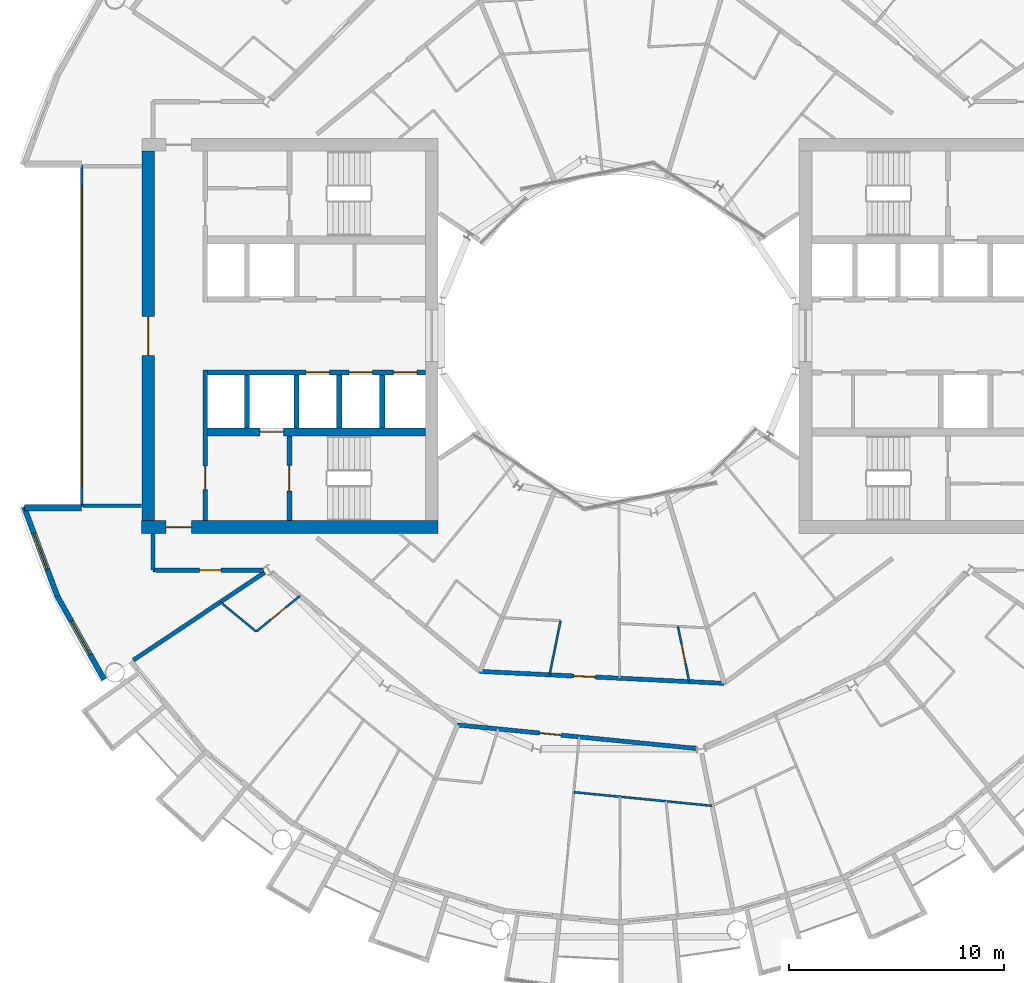
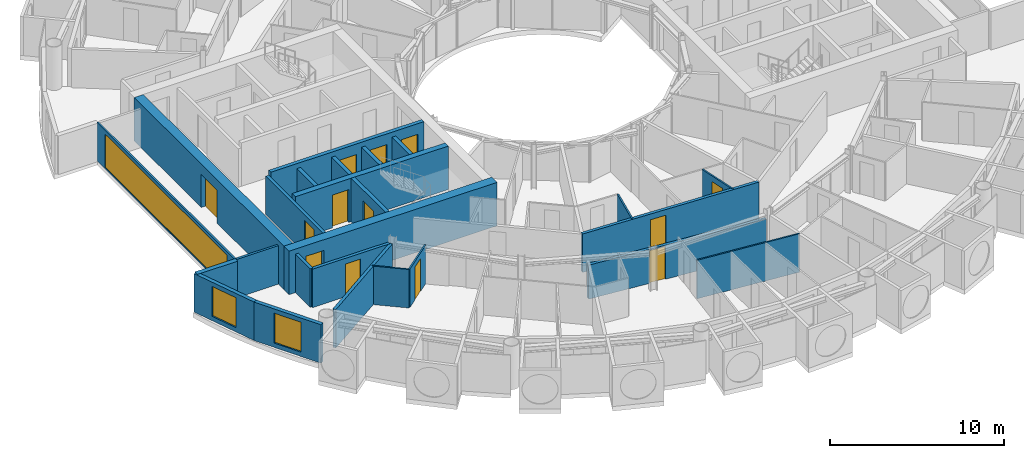
# One storey, part 15 of 27: 25 walls, 13 doors, 3 windows, 16 openings.
"""IFC4 building model written with IfcOpenShell, lengths in metres."""

from ifc_helpers import new_model, si_unit, direction, frame, frame_2d, origin, place, context, subcontext, project, spatial, rectangle, extrude, material, layer, layer_set, type_object, element, fill, save


model = new_model("IFC4")

# Units and contexts
model_context = context("Model", 3, precision=1e-05, world=origin(), true_north=direction((0.0, 1.0)))
body_context = subcontext(model_context, "Body", "Model", "MODEL_VIEW")
ifc_project = project(units=[si_unit("LENGTHUNIT", "METRE"), si_unit("AREAUNIT", "SQUARE_METRE"), si_unit("VOLUMEUNIT", "CUBIC_METRE"), si_unit("PLANEANGLEUNIT", "RADIAN"), si_unit("MASSUNIT", "GRAM", prefix="KILO")], contexts=[model_context])

# Site, building, storey
site_placement = place(None, origin())
site = spatial("IfcSite", under=ifc_project, at=site_placement, CompositionType="ELEMENT")
building_placement = place(site_placement, origin())
building = spatial("IfcBuilding", under=site, at=building_placement, Name="Maasbend Ring Residences", CompositionType="ELEMENT")
storey_placement = place(building_placement, frame((0.0, 0.0, 111.64990234375)))
storey = spatial("IfcBuildingStorey", under=building, at=storey_placement, Name="L31", CompositionType="ELEMENT", Elevation=111.64990234375)

# Wall, openings, doors
ifc_material_1 = material(Name="Concrete C60/75", Category="concrete")
ifc_layer_1 = layer(ifc_material_1, 0.25)
ifc_layer_set_1 = layer_set([ifc_layer_1], Name="Concrete C60/75")
wall_type_1 = type_object("IfcWallType", Name="CORE WALL 250 C60/75", PredefinedType="SHEAR", material=ifc_layer_set_1)
wall_1_placement = place(storey_placement, frame((-9.0, -1.699951171875, 0.0), z_axis=(0.0, 0.0, 1.0), x_axis=(-1.0, 0.0, 0.0)))
wall_1 = element("IfcWall", 1, at=wall_1_placement, inside=storey, type_object=wall_type_1, Name="L31 core W wall SPN", PredefinedType="SHEAR", context=body_context, shape_type="SweptSolid", body=[
    extrude(rectangle(XDim=10.14990234375, YDim=0.25, at=frame_2d((5.074951171875, 0.0))), origin(), (0.0, 0.0, 1.0), 3.050048828125),
])
opening_1_placement = place(wall_1_placement, frame((0.387451171875, 0.0, 0.0)))
opening_1 = element("IfcOpeningElement", 2, at=opening_1_placement, cuts=wall_1, Name="Opening LD-W3101", PredefinedType="OPENING", context=body_context, shape_type="SweptSolid", body=[
    extrude(rectangle(XDim=1.10009765625, YDim=2.300048828125, at=frame_2d((0.550048828125, 1.14990234375))), frame((0.0, 0.135009765625, 0.0), z_axis=(0.0, -1.0, 0.0), x_axis=(1.0, 0.0, 0.0)), (0.0, 0.0, 1.0), 0.27001953125),
])
opening_2_placement = place(wall_1_placement, frame((2.449951171875, 0.0, 0.0)))
opening_2 = element("IfcOpeningElement", 3, at=opening_2_placement, cuts=wall_1, Name="Opening LD-W3102", PredefinedType="OPENING", context=body_context, shape_type="SweptSolid", body=[
    extrude(rectangle(XDim=1.10009765625, YDim=2.300048828125, at=frame_2d((0.550048828125, 1.14990234375))), frame((0.0, 0.135009765625, 0.0), z_axis=(0.0, -1.0, 0.0), x_axis=(1.0, 0.0, 0.0)), (0.0, 0.0, 1.0), 0.27001953125),
])
opening_3_placement = place(wall_1_placement, frame((4.449951171875, 0.0, 0.0)))
opening_3 = element("IfcOpeningElement", 4, at=opening_3_placement, cuts=wall_1, Name="Opening LD-W3103", PredefinedType="OPENING", context=body_context, shape_type="SweptSolid", body=[
    extrude(rectangle(XDim=1.10009765625, YDim=2.300048828125, at=frame_2d((0.550048828125, 1.14990234375))), frame((0.0, 0.135009765625, 0.0), z_axis=(0.0, -1.0, 0.0), x_axis=(1.0, 0.0, 0.0)), (0.0, 0.0, 1.0), 0.27001953125),
])
ifc_material_2 = material(Name="Stainless steel 316", Category="steel")
door_type_1 = type_object("IfcDoorType", Name="LANDING DOOR 1100 X 2300 FD60", OperationType="DOUBLE_DOOR_SLIDING", PredefinedType="DOOR", material=ifc_material_2)
door_1_placement = place(opening_1_placement, origin())
door_1 = element("IfcDoor", 5, at=door_1_placement, inside=storey, type_object=door_type_1, Name="Landing door LR-W1 L31", OperationType="DOUBLE_DOOR_SLIDING", OverallHeight=2.300048828125, OverallWidth=1.10009765625, PredefinedType="DOOR", context=body_context, shape_type="SweptSolid", body=[
    extrude(rectangle(XDim=1.10009765625, YDim=2.300048828125, at=frame_2d((0.550048828125, 1.14990234375))), frame((0.0, 0.02490234375, 0.0), z_axis=(0.0, -1.0, 0.0), x_axis=(1.0, 0.0, 0.0)), (0.0, 0.0, 1.0), 0.050048828125),
])
fill(opening_1, door_1)
door_2_placement = place(opening_2_placement, origin())
door_2 = element("IfcDoor", 6, at=door_2_placement, inside=storey, type_object=door_type_1, Name="Landing door LR-W2 L31", OperationType="DOUBLE_DOOR_SLIDING", OverallHeight=2.300048828125, OverallWidth=1.10009765625, PredefinedType="DOOR", context=body_context, shape_type="SweptSolid", body=[
    extrude(rectangle(XDim=1.10009765625, YDim=2.300048828125, at=frame_2d((0.550048828125, 1.14990234375))), frame((0.0, 0.02490234375, 0.0), z_axis=(0.0, -1.0, 0.0), x_axis=(1.0, 0.0, 0.0)), (0.0, 0.0, 1.0), 0.050048828125),
])
fill(opening_2, door_2)
door_3_placement = place(opening_3_placement, origin())
door_3 = element("IfcDoor", 7, at=door_3_placement, inside=storey, type_object=door_type_1, Name="Landing door LR-W3 L31", OperationType="DOUBLE_DOOR_SLIDING", OverallHeight=2.300048828125, OverallWidth=1.10009765625, PredefinedType="DOOR", context=body_context, shape_type="SweptSolid", body=[
    extrude(rectangle(XDim=1.10009765625, YDim=2.300048828125, at=frame_2d((0.550048828125, 1.14990234375))), frame((0.0, 0.02490234375, 0.0), z_axis=(0.0, -1.0, 0.0), x_axis=(1.0, 0.0, 0.0)), (0.0, 0.0, 1.0), 0.050048828125),
])
fill(opening_3, door_3)

# Wall, opening, door
wall_2_placement = place(storey_placement, frame((-15.324951171875, -4.64990234375, 0.0), z_axis=(0.0, 0.0, 1.0), x_axis=(0.0, -1.0, 0.0)))
wall_2 = element("IfcWall", 8, at=wall_2_placement, inside=storey, type_object=wall_type_1, Name="L31 core W wall STEN", PredefinedType="SHEAR", context=body_context, shape_type="SweptSolid", body=[
    extrude(rectangle(XDim=3.9501953125, YDim=0.25, at=frame_2d((1.97509765625, 0.0))), origin(), (0.0, 0.0, 1.0), 3.050048828125),
])
opening_4_placement = place(wall_2_placement, frame((1.375, 0.0, 0.0)))
opening_4 = element("IfcOpeningElement", 9, at=opening_4_placement, cuts=wall_2, Name="Opening D-W3109", PredefinedType="OPENING", context=body_context, shape_type="SweptSolid", body=[
    extrude(rectangle(XDim=1.199951171875, YDim=2.300048828125, at=frame_2d((0.60009765625, 1.14990234375))), frame((0.0, 0.135009765625, 0.0), z_axis=(0.0, -1.0, 0.0), x_axis=(1.0, 0.0, 0.0)), (0.0, 0.0, 1.0), 0.27001953125),
])
ifc_material_3 = material(Name="Steel, powder coated", Category="steel")
door_type_2 = type_object("IfcDoorType", Name="STAIR DOOR 1200 X 2300 FD60", OperationType="NOTDEFINED", PredefinedType="DOOR", material=ifc_material_3)
door_4_placement = place(opening_4_placement, origin())
door_4 = element("IfcDoor", 10, at=door_4_placement, inside=storey, type_object=door_type_2, Name="Stair door ST-W L31", OperationType="SINGLE_SWING_LEFT", OverallHeight=2.300048828125, OverallWidth=1.199951171875, PredefinedType="DOOR", context=body_context, shape_type="SweptSolid", body=[
    extrude(rectangle(XDim=1.199951171875, YDim=2.300048828125, at=frame_2d((0.60009765625, 1.14990234375))), frame((0.0, 0.02490234375, 0.0), z_axis=(0.0, -1.0, 0.0), x_axis=(1.0, 0.0, 0.0)), (0.0, 0.0, 1.0), 0.050048828125),
])
fill(opening_4, door_4)

ifc_material_4 = material(Name="Concrete C60/75", Category="concrete")
ifc_layer_2 = layer(ifc_material_4, 0.375)
ifc_layer_set_2 = layer_set([ifc_layer_2], Name="Concrete C60/75")
wall_type_2 = type_object("IfcWallType", Name="CORE WALL 375 C60/75", PredefinedType="SHEAR", material=ifc_layer_set_2)
wall_3_placement = place(storey_placement, frame((-9.0, -4.46240234375, 0.0), z_axis=(0.0, 0.0, 1.0), x_axis=(-1.0, 0.0, 0.0)))
wall_3 = element("IfcWall", 11, at=wall_3_placement, inside=storey, type_object=wall_type_2, Name="L31 core W wall BN", PredefinedType="SHEAR", context=body_context, shape_type="SweptSolid", body=[
    extrude(rectangle(XDim=10.14990234375, YDim=0.375, at=frame_2d((5.074951171875, 0.0))), origin(), (0.0, 0.0, 1.0), 3.050048828125),
])
opening_5_placement = place(wall_3_placement, frame((6.60009765625, 0.0, 0.0)))
opening_5 = element("IfcOpeningElement", 12, at=opening_5_placement, cuts=wall_3, Name="Opening LD-W3104", PredefinedType="OPENING", context=body_context, shape_type="SweptSolid", body=[
    extrude(rectangle(XDim=1.10009765625, YDim=2.300048828125, at=frame_2d((0.550048828125, 1.14990234375))), frame((0.0, 0.197509765625, 0.0), z_axis=(0.0, -1.0, 0.0), x_axis=(1.0, 0.0, 0.0)), (0.0, 0.0, 1.0), 0.39501953125),
])
door_5_placement = place(opening_5_placement, origin())
door_5 = element("IfcDoor", 13, at=door_5_placement, inside=storey, type_object=door_type_1, Name="Landing door FF-W L31", OperationType="DOUBLE_DOOR_SLIDING", OverallHeight=2.300048828125, OverallWidth=1.10009765625, PredefinedType="DOOR", context=body_context, shape_type="SweptSolid", body=[
    extrude(rectangle(XDim=1.10009765625, YDim=2.300048828125, at=frame_2d((0.550048828125, 1.14990234375))), frame((0.0, 0.02490234375, 0.0), z_axis=(0.0, -1.0, 0.0), x_axis=(1.0, 0.0, 0.0)), (0.0, 0.0, 1.0), 0.050048828125),
])
fill(opening_5, door_5)

ifc_material_5 = material(Name="Concrete C60/75", Category="concrete")
ifc_layer_3 = layer(ifc_material_5, 0.60009765625)
ifc_layer_set_3 = layer_set([ifc_layer_3], Name="Concrete C60/75")
wall_type_3 = type_object("IfcWallType", Name="CORE WALL 600 C60/75", PredefinedType="SHEAR", material=ifc_layer_set_3)
wall_4_placement = place(storey_placement, frame((-22.199951171875, -8.89990234375, 0.0), z_axis=(0.0, 0.0, 1.0), x_axis=(1.0, 0.0, 0.0)))
wall_4 = element("IfcWall", 14, at=wall_4_placement, inside=storey, type_object=wall_type_3, Name="L31 core W wall PN", PredefinedType="SHEAR", context=body_context, shape_type="SweptSolid", body=[
    extrude(rectangle(XDim=13.800048828125, YDim=0.60009765625, at=frame_2d((6.89990234375, 0.0))), origin(), (0.0, 0.0, 1.0), 3.050048828125),
])
opening_6_placement = place(wall_4_placement, frame((1.125, 0.0, 0.0)))
opening_6 = element("IfcOpeningElement", 15, at=opening_6_placement, cuts=wall_4, Name="Opening D-W3113", PredefinedType="OPENING", context=body_context, shape_type="SweptSolid", body=[
    extrude(rectangle(XDim=1.199951171875, YDim=2.300048828125, at=frame_2d((0.60009765625, 1.14990234375))), frame((0.0, 0.31005859375, 0.0), z_axis=(0.0, -1.0, 0.0), x_axis=(1.0, 0.0, 0.0)), (0.0, 0.0, 1.0), 0.6201171875),
])
ifc_material_6 = material(Name="Steel, powder coated", Category="steel")
door_type_3 = type_object("IfcDoorType", Name="CORRIDOR DOOR 1200 X 2300 FD30S", OperationType="NOTDEFINED", PredefinedType="DOOR", material=ifc_material_6)
door_6_placement = place(opening_6_placement, origin())
door_6 = element("IfcDoor", 16, at=door_6_placement, inside=storey, type_object=door_type_3, Name="Corridor door L31", OperationType="SINGLE_SWING_RIGHT", OverallHeight=2.300048828125, OverallWidth=1.199951171875, PredefinedType="DOOR", context=body_context, shape_type="SweptSolid", body=[
    extrude(rectangle(XDim=1.199951171875, YDim=2.300048828125, at=frame_2d((0.60009765625, 1.14990234375))), frame((0.0, 0.02490234375, 0.0), z_axis=(0.0, -1.0, 0.0), x_axis=(1.0, 0.0, 0.0)), (0.0, 0.0, 1.0), 0.050048828125),
])
fill(opening_6, door_6)

wall_5_placement = place(storey_placement, frame((-21.89990234375, -8.60009765625, 0.0), z_axis=(0.0, 0.0, 1.0), x_axis=(0.0, 1.0, 0.0)))
wall_5 = element("IfcWall", 17, at=wall_5_placement, inside=storey, type_object=wall_type_3, Name="L31 core W wall POUT", PredefinedType="SHEAR", context=body_context, shape_type="SweptSolid", body=[
    extrude(rectangle(XDim=17.2001953125, YDim=0.60009765625, at=frame_2d((8.60009765625, 0.0))), origin(), (0.0, 0.0, 1.0), 3.050048828125),
])
opening_7_placement = place(wall_5_placement, frame((7.699951171875, 0.0, 0.0)))
opening_7 = element("IfcOpeningElement", 18, at=opening_7_placement, cuts=wall_5, Name="Opening D-W3115", PredefinedType="OPENING", context=body_context, shape_type="SweptSolid", body=[
    extrude(rectangle(XDim=1.800048828125, YDim=2.300048828125, at=frame_2d((0.89990234375, 1.14990234375))), frame((0.0, 0.31005859375, 0.0), z_axis=(0.0, -1.0, 0.0), x_axis=(1.0, 0.0, 0.0)), (0.0, 0.0, 1.0), 0.6201171875),
])
ifc_material_7 = material(Name="Aluminium frame, clear glass", Category="aluminium")
door_type_4 = type_object("IfcDoorType", Name="ENTRANCE DOOR 1800 X 2300 FD60", OperationType="NOTDEFINED", PredefinedType="DOOR", material=ifc_material_7)
door_7_placement = place(opening_7_placement, origin())
door_7 = element("IfcDoor", 19, at=door_7_placement, inside=storey, type_object=door_type_4, Name="Lobby glazed door L31", OperationType="SINGLE_SWING_LEFT", OverallHeight=2.300048828125, OverallWidth=1.800048828125, PredefinedType="DOOR", context=body_context, shape_type="SweptSolid", body=[
    extrude(rectangle(XDim=1.800048828125, YDim=2.300048828125, at=frame_2d((0.89990234375, 1.14990234375))), frame((0.0, 0.02490234375, 0.0), z_axis=(0.0, -1.0, 0.0), x_axis=(1.0, 0.0, 0.0)), (0.0, 0.0, 1.0), 0.050048828125),
])
fill(opening_7, door_7)

ifc_material_8 = material(Name="Concrete C30/37", Category="concrete")
ifc_layer_4 = layer(ifc_material_8, 0.199951171875)
ifc_layer_set_4 = layer_set([ifc_layer_4], Name="Concrete C30/37")
wall_type_4 = type_object("IfcWallType", Name="CORRIDOR WALL 200 CONCRETE", PredefinedType="PARTITIONING", material=ifc_layer_set_4)
wall_6_placement = place(storey_placement, frame((-7.5009765625, -18.10791015625, 0.0), z_axis=(0.0, 0.0, 1.0), x_axis=(0.995189414306, -0.097969534313, 0.0)))
wall_6 = element("IfcWall", 20, at=wall_6_placement, inside=storey, type_object=wall_type_4, Name="U-L31-w014", PredefinedType="PARTITIONING", context=body_context, shape_type="SweptSolid", body=[
    extrude(rectangle(XDim=11.218994140625, YDim=0.199951171875, at=frame_2d((5.609375, 0.0))), origin(), (0.0, 0.0, 1.0), 2.39013671875),
])
opening_8_placement = place(wall_6_placement, frame((3.846923828125, 0.0, 0.0)))
opening_8 = element("IfcOpeningElement", 21, at=opening_8_placement, cuts=wall_6, Name="Opening D-3140", PredefinedType="OPENING", context=body_context, shape_type="SweptSolid", body=[
    extrude(rectangle(XDim=1.0, YDim=2.300048828125, at=frame_2d((0.5, 1.14990234375))), frame((0.0, 0.10986328125, 0.0), z_axis=(0.0, -1.0, 0.0), x_axis=(1.0, 0.0, 0.0)), (0.0, 0.0, 1.0), 0.219970703125),
])
ifc_material_9 = material(Name="Timber, fire-rated, painted", Category="wood")
door_type_5 = type_object("IfcDoorType", Name="FLAT ENTRANCE DOOR 1000 X 2300 FIRE-RATED", OperationType="NOTDEFINED", PredefinedType="DOOR", material=ifc_material_9)
door_8_placement = place(opening_8_placement, origin())
door_8 = element("IfcDoor", 22, at=door_8_placement, inside=storey, type_object=door_type_5, Name="D-3140", OperationType="SINGLE_SWING_LEFT", OverallHeight=2.300048828125, OverallWidth=1.0, PredefinedType="DOOR", context=body_context, shape_type="SweptSolid", body=[
    extrude(rectangle(XDim=1.0, YDim=2.300048828125, at=frame_2d((0.5, 1.14990234375))), frame((0.0, 0.02490234375, 0.0), z_axis=(0.0, -1.0, 0.0), x_axis=(1.0, 0.0, 0.0)), (0.0, 0.0, 1.0), 0.050048828125),
])
fill(opening_8, door_8)

wall_7_placement = place(storey_placement, frame((-6.467041015625, -15.614990234375, 0.0), z_axis=(0.0, 0.0, 1.0), x_axis=(0.998803328932, -0.048907158111, 0.0)))
wall_7 = element("IfcWall", 23, at=wall_7_placement, inside=storey, type_object=wall_type_4, Name="U-L31-w016", PredefinedType="PARTITIONING", context=body_context, shape_type="SweptSolid", body=[
    extrude(rectangle(XDim=11.3916015625, YDim=0.199951171875, at=frame_2d((5.69580078125, 0.0))), origin(), (0.0, 0.0, 1.0), 2.7001953125),
])
opening_9_placement = place(wall_7_placement, frame((4.381103515625, 0.0, 0.0)))
opening_9 = element("IfcOpeningElement", 24, at=opening_9_placement, cuts=wall_7, Name="Opening D-3158", PredefinedType="OPENING", context=body_context, shape_type="SweptSolid", body=[
    extrude(rectangle(XDim=1.0, YDim=2.300048828125, at=frame_2d((0.5, 1.14990234375))), frame((0.0, 0.10986328125, 0.0), z_axis=(0.0, -1.0, 0.0), x_axis=(1.0, 0.0, 0.0)), (0.0, 0.0, 1.0), 0.219970703125),
])
door_9_placement = place(opening_9_placement, origin())
door_9 = element("IfcDoor", 25, at=door_9_placement, inside=storey, type_object=door_type_5, Name="D-3158", OperationType="SINGLE_SWING_LEFT", OverallHeight=2.300048828125, OverallWidth=1.0, PredefinedType="DOOR", context=body_context, shape_type="SweptSolid", body=[
    extrude(rectangle(XDim=1.0, YDim=2.300048828125, at=frame_2d((0.5, 1.14990234375))), frame((0.0, 0.02490234375, 0.0), z_axis=(0.0, -1.0, 0.0), x_axis=(1.0, 0.0, 0.0)), (0.0, 0.0, 1.0), 0.050048828125),
])
fill(opening_9, door_9)

wall_8_placement = place(storey_placement, frame((-21.675048828125, -10.89990234375, 0.0), z_axis=(0.0, 0.0, 1.0), x_axis=(0.99999670426, -0.002567385634, 0.0)))
wall_8 = element("IfcWall", 26, at=wall_8_placement, inside=storey, type_object=wall_type_4, Name="U-L31-w024", PredefinedType="PARTITIONING", context=body_context, shape_type="SweptSolid", body=[
    extrude(rectangle(XDim=5.135009765625, YDim=0.199951171875, at=frame_2d((2.5673828125, 0.0))), origin(), (0.0, 0.0, 1.0), 2.7001953125),
])
opening_10_placement = place(wall_8_placement, frame((2.1708984375, 0.0, 0.0)))
opening_10 = element("IfcOpeningElement", 27, at=opening_10_placement, cuts=wall_8, Name="Opening D-3167", PredefinedType="OPENING", context=body_context, shape_type="SweptSolid", body=[
    extrude(rectangle(XDim=1.0, YDim=2.300048828125, at=frame_2d((0.5, 1.14990234375))), frame((0.0, 0.10986328125, 0.0), z_axis=(0.0, -1.0, 0.0), x_axis=(1.0, 0.0, 0.0)), (0.0, 0.0, 1.0), 0.219970703125),
])
ifc_material_10 = material(Name="Timber, painted", Category="wood")
door_type_6 = type_object("IfcDoorType", Name="ROOM DOOR 1000 X 2300", OperationType="NOTDEFINED", PredefinedType="DOOR", material=ifc_material_10)
door_10_placement = place(opening_10_placement, origin())
door_10 = element("IfcDoor", 28, at=door_10_placement, inside=storey, type_object=door_type_6, Name="D-3167", OperationType="SINGLE_SWING_RIGHT", OverallHeight=2.300048828125, OverallWidth=1.0, PredefinedType="DOOR", context=body_context, shape_type="SweptSolid", body=[
    extrude(rectangle(XDim=1.0, YDim=2.300048828125, at=frame_2d((0.5, 1.14990234375))), frame((0.0, 0.02490234375, 0.0), z_axis=(0.0, -1.0, 0.0), x_axis=(1.0, 0.0, 0.0)), (0.0, 0.0, 1.0), 0.050048828125),
])
fill(opening_10, door_10)

# Wall
wall_9_placement = place(storey_placement, frame((-21.675048828125, -10.89990234375, 0.0), z_axis=(0.0, 0.0, 1.0), x_axis=(0.0, 1.0, 0.0)))
element("IfcWall", 29, at=wall_9_placement, inside=storey, type_object=wall_type_4, Name="U-L31-w107", PredefinedType="PARTITIONING", context=body_context, shape_type="SweptSolid", body=[
    extrude(rectangle(XDim=1.699951171875, YDim=0.199951171875, at=frame_2d((0.85009765625, 0.0))), origin(), (0.0, 0.0, 1.0), 2.7001953125),
])

# Wall, opening, window
ifc_material_11 = material(Name="Aluminium clad insulated panel", Category="aluminium")
ifc_layer_5 = layer(ifc_material_11, 0.25)
ifc_layer_set_5 = layer_set([ifc_layer_5], Name="EW-HORN")
wall_type_5 = type_object("IfcWallType", Name="EW-HORN", PredefinedType="SOLIDWALL", material=ifc_layer_set_5)
wall_10_placement = place(storey_placement, frame((-27.681884765625, -7.945068359375, 0.0), z_axis=(0.0, 0.0, 1.0), x_axis=(0.349247811493, -0.937030397675, 0.0)))
wall_10 = element("IfcWall", 30, at=wall_10_placement, inside=storey, type_object=wall_type_5, Name="Horn wall 3.1", PredefinedType="SOLIDWALL", context=body_context, shape_type="SweptSolid", body=[
    extrude(rectangle(XDim=4.4521484375, YDim=0.25, at=frame_2d((2.22607421875, 0.0))), origin(), (0.0, 0.0, 1.0), 2.7001953125),
])
opening_11_placement = place(wall_10_placement, frame((1.32666015625, 0.0, 0.300048828125)))
opening_11 = element("IfcOpeningElement", 31, at=opening_11_placement, cuts=wall_10, Name="Opening W-BX", PredefinedType="OPENING", context=body_context, shape_type="SweptSolid", body=[
    extrude(rectangle(XDim=1.800048828125, YDim=2.10009765625, at=frame_2d((0.89990234375, 1.050048828125))), frame((0.0, 0.135009765625, 0.0), z_axis=(0.0, -1.0, 0.0), x_axis=(1.0, 0.0, 0.0)), (0.0, 0.0, 1.0), 0.27001953125),
])
ifc_material_12 = material(Name="Aluminium and clear glass", Category="aluminium")
window_type_1 = type_object("IfcWindowType", Name="W-BX", PartitioningType="DOUBLE_PANEL_VERTICAL", PredefinedType="WINDOW", material=ifc_material_12)
window_1_placement = place(opening_11_placement, origin())
window_1 = element("IfcWindow", 32, at=window_1_placement, inside=storey, type_object=window_type_1, Name="Horn window 3.1", OverallHeight=2.10009765625, OverallWidth=1.800048828125, PartitioningType="SINGLE_PANEL", PredefinedType="WINDOW", context=body_context, shape_type="SweptSolid", body=[
    extrude(rectangle(XDim=1.800048828125, YDim=2.10009765625, at=frame_2d((0.89990234375, 1.050048828125))), frame((0.0, 0.030029296875, 0.0), z_axis=(0.0, -1.0, 0.0), x_axis=(1.0, 0.0, 0.0)), (0.0, 0.0, 1.0), 0.06005859375),
])
fill(opening_11, window_1)

wall_11_placement = place(storey_placement, frame((-26.126953125, -12.116943359375, 0.0), z_axis=(0.0, 0.0, 1.0), x_axis=(0.489696356642, -0.871893042919, 0.0)))
wall_11 = element("IfcWall", 33, at=wall_11_placement, inside=storey, type_object=wall_type_5, Name="Horn wall 3.2", PredefinedType="SOLIDWALL", context=body_context, shape_type="SweptSolid", body=[
    extrude(rectangle(XDim=4.45361328125, YDim=0.25, at=frame_2d((2.226806640625, 0.0))), origin(), (0.0, 0.0, 1.0), 2.7001953125),
])
opening_12_placement = place(wall_11_placement, frame((1.32666015625, 0.0, 0.300048828125)))
opening_12 = element("IfcOpeningElement", 34, at=opening_12_placement, cuts=wall_11, Name="Opening W-BX", PredefinedType="OPENING", context=body_context, shape_type="SweptSolid", body=[
    extrude(rectangle(XDim=1.800048828125, YDim=2.10009765625, at=frame_2d((0.89990234375, 1.050048828125))), frame((0.0, 0.135009765625, 0.0), z_axis=(0.0, -1.0, 0.0), x_axis=(1.0, 0.0, 0.0)), (0.0, 0.0, 1.0), 0.27001953125),
])
window_2_placement = place(opening_12_placement, origin())
window_2 = element("IfcWindow", 35, at=window_2_placement, inside=storey, type_object=window_type_1, Name="Horn window 3.2", OverallHeight=2.10009765625, OverallWidth=1.800048828125, PartitioningType="SINGLE_PANEL", PredefinedType="WINDOW", context=body_context, shape_type="SweptSolid", body=[
    extrude(rectangle(XDim=1.800048828125, YDim=2.10009765625, at=frame_2d((0.89990234375, 1.050048828125))), frame((0.0, 0.030029296875, 0.0), z_axis=(0.0, -1.0, 0.0), x_axis=(1.0, 0.0, 0.0)), (0.0, 0.0, 1.0), 0.06005859375),
])
fill(opening_12, window_2)

# Wall
ifc_material_13 = material(Name="Aluminium clad insulated panel", Category="aluminium")
ifc_layer_6 = layer(ifc_material_13, 0.300048828125)
ifc_layer_set_6 = layer_set([ifc_layer_6], Name="EW-RET")
wall_type_6 = type_object("IfcWallType", Name="EW-RET", PredefinedType="SOLIDWALL", material=ifc_layer_set_6)
wall_12_placement = place(storey_placement, frame((-25.0, -8.0, 0.0), z_axis=(0.0, 0.0, 1.0), x_axis=(-1.0, 0.0, 0.0)))
element("IfcWall", 36, at=wall_12_placement, inside=storey, type_object=wall_type_6, Name="Notch return wall west south", PredefinedType="SOLIDWALL", context=body_context, shape_type="SweptSolid", body=[
    extrude(rectangle(XDim=2.6669921875, YDim=0.300048828125, at=frame_2d((1.33349609375, 0.0))), origin(), (0.0, 0.0, 1.0), 2.7001953125),
])

# Wall, opening, window
ifc_material_14 = material(Name="Aluminium frame and clear glass", Category="aluminium")
ifc_layer_7 = layer(ifc_material_14, 0.1201171875)
ifc_layer_set_7 = layer_set([ifc_layer_7], Name="GLAZED SCREEN WALL 120 EI 60")
wall_type_7 = type_object("IfcWallType", Name="GLAZED SCREEN WALL 120 EI 60", PredefinedType="PARTITIONING", material=ifc_layer_set_7)
wall_13_placement = place(storey_placement, frame((-25.0, 7.949951171875, 0.0), z_axis=(0.0, 0.0, 1.0), x_axis=(0.0, -1.0, 0.0)))
wall_13 = element("IfcWall", 37, at=wall_13_placement, inside=storey, type_object=wall_type_7, Name="L31 core W wall FACE", PredefinedType="PARTITIONING", context=body_context, shape_type="SweptSolid", body=[
    extrude(rectangle(XDim=15.89990234375, YDim=0.1201171875, at=frame_2d((7.949951171875, 0.0))), origin(), (0.0, 0.0, 1.0), 2.7001953125),
])
opening_13_placement = place(wall_13_placement, frame((0.949951171875, 0.0, 0.10009765625)))
opening_13 = element("IfcOpeningElement", 38, at=opening_13_placement, cuts=wall_13, Name="Opening W-W3102", PredefinedType="OPENING", context=body_context, shape_type="SweptSolid", body=[
    extrude(rectangle(XDim=14.0, YDim=2.35009765625, at=frame_2d((7.0, 1.175048828125))), frame((0.0, 0.070068359375, 0.0), z_axis=(0.0, -1.0, 0.0), x_axis=(1.0, 0.0, 0.0)), (0.0, 0.0, 1.0), 0.14013671875),
])
ifc_material_15 = material(Name="Aluminium frame and clear glass", Category="aluminium")
window_type_2 = type_object("IfcWindowType", Name="FIXED WINDOW 14000 X 2350", PartitioningType="SINGLE_PANEL", PredefinedType="WINDOW", material=ifc_material_15)
window_3_placement = place(opening_13_placement, origin())
window_3 = element("IfcWindow", 39, at=window_3_placement, inside=storey, type_object=window_type_2, Name="Lobby window L31", OverallHeight=2.35009765625, OverallWidth=14.0, PartitioningType="SINGLE_PANEL", PredefinedType="WINDOW", context=body_context, shape_type="SweptSolid", body=[
    extrude(rectangle(XDim=14.0, YDim=2.35009765625, at=frame_2d((7.0, 1.175048828125))), frame((0.0, 0.030029296875, 0.0), z_axis=(0.0, -1.0, 0.0), x_axis=(1.0, 0.0, 0.0)), (0.0, 0.0, 1.0), 0.06005859375),
])
fill(opening_13, window_3)

# Walls
ifc_material_16 = material(Name="Gypsum board on steel studs", Category="steel")
ifc_layer_8 = layer(ifc_material_16, 0.10009765625)
ifc_layer_set_8 = layer_set([ifc_layer_8], Name="PARTITION 100 GYPSUM")
wall_type_8 = type_object("IfcWallType", Name="PARTITION 100 GYPSUM", PredefinedType="PARTITIONING", material=ifc_layer_set_8)
wall_14_placement = place(storey_placement, frame((-18.5419921875, -12.388916015625, 0.0), z_axis=(0.0, 0.0, 1.0), x_axis=(0.772948171844, -0.634469166818, 0.0)))
element("IfcWall", 40, at=wall_14_placement, inside=storey, type_object=wall_type_8, Name="U-L31-w007", PredefinedType="PARTITIONING", context=body_context, shape_type="SweptSolid", body=[
    extrude(rectangle(XDim=2.157958984375, YDim=0.10009765625, at=frame_2d((1.0791015625, 0.0))), origin(), (0.0, 0.0, 1.0), 2.7001953125),
])
wall_15_placement = place(storey_placement, frame((-2.092041015625, -21.237060546875, 0.0), z_axis=(0.0, 0.0, 1.0), x_axis=(0.995182772405, -0.098036980306, 0.0)))
element("IfcWall", 41, at=wall_15_placement, inside=storey, type_object=wall_type_8, Name="U-L31-w010", PredefinedType="PARTITIONING", context=body_context, shape_type="SweptSolid", body=[
    extrude(rectangle(XDim=6.477294921875, YDim=0.10009765625, at=frame_2d((3.23876953125, 0.0))), origin(), (0.0, 0.0, 1.0), 2.7001953125),
])

# Wall, opening, door
wall_16_placement = place(storey_placement, frame((-16.8720703125, -13.760986328125, 0.0), z_axis=(0.0, 0.0, 1.0), x_axis=(0.774979608522, 0.631986239072, 0.0)))
wall_16 = element("IfcWall", 42, at=wall_16_placement, inside=storey, type_object=wall_type_8, Name="U-L31-w035", PredefinedType="PARTITIONING", context=body_context, shape_type="SweptSolid", body=[
    extrude(rectangle(XDim=2.63623046875, YDim=0.10009765625, at=frame_2d((1.318115234375, 0.0))), origin(), (0.0, 0.0, 1.0), 2.7001953125),
])
opening_14_placement = place(wall_16_placement, frame((0.867919921875, 0.0, 0.0)))
opening_14 = element("IfcOpeningElement", 43, at=opening_14_placement, cuts=wall_16, Name="Opening D-3135", PredefinedType="OPENING", context=body_context, shape_type="SweptSolid", body=[
    extrude(rectangle(XDim=0.89990234375, YDim=2.300048828125, at=frame_2d((0.449951171875, 1.14990234375))), frame((0.0, 0.06005859375, 0.0), z_axis=(0.0, -1.0, 0.0), x_axis=(1.0, 0.0, 0.0)), (0.0, 0.0, 1.0), 0.1201171875),
])
ifc_material_17 = material(Name="Timber, painted", Category="wood")
door_type_7 = type_object("IfcDoorType", Name="INTERNAL DOOR 900 X 2300", OperationType="NOTDEFINED", PredefinedType="DOOR", material=ifc_material_17)
door_11_placement = place(opening_14_placement, origin())
door_11 = element("IfcDoor", 44, at=door_11_placement, inside=storey, type_object=door_type_7, Name="D-3135", OperationType="SINGLE_SWING_RIGHT", OverallHeight=2.300048828125, OverallWidth=0.89990234375, PredefinedType="DOOR", context=body_context, shape_type="SweptSolid", body=[
    extrude(rectangle(XDim=0.89990234375, YDim=2.300048828125, at=frame_2d((0.449951171875, 1.14990234375))), frame((0.0, 0.02490234375, 0.0), z_axis=(0.0, -1.0, 0.0), x_axis=(1.0, 0.0, 0.0)), (0.0, 0.0, 1.0), 0.050048828125),
])
fill(opening_14, door_11)

# Wall
wall_17_placement = place(storey_placement, frame((-3.218017578125, -15.77294921875, 0.0), z_axis=(0.0, 0.0, 1.0), x_axis=(0.199820523641, 0.979832515449, 0.0)))
element("IfcWall", 45, at=wall_17_placement, inside=storey, type_object=wall_type_8, Name="U-L31-w054", PredefinedType="PARTITIONING", context=body_context, shape_type="SweptSolid", body=[
    extrude(rectangle(XDim=2.57177734375, YDim=0.10009765625, at=frame_2d((1.285888671875, 0.0))), origin(), (0.0, 0.0, 1.0), 2.7001953125),
])

# Wall, opening, door
wall_18_placement = place(storey_placement, frame((2.757080078125, -13.52099609375, 0.0), z_axis=(0.0, 0.0, 1.0), x_axis=(0.199675621436, -0.979862054681, 0.0)))
wall_18 = element("IfcWall", 46, at=wall_18_placement, inside=storey, type_object=wall_type_8, Name="U-L31-w065", PredefinedType="PARTITIONING", context=body_context, shape_type="SweptSolid", body=[
    extrude(rectangle(XDim=2.623779296875, YDim=0.10009765625, at=frame_2d((1.31201171875, 0.0))), origin(), (0.0, 0.0, 1.0), 2.7001953125),
])
opening_15_placement = place(wall_18_placement, frame((0.862060546875, 0.0, 0.0)))
opening_15 = element("IfcOpeningElement", 47, at=opening_15_placement, cuts=wall_18, Name="Opening D-3161", PredefinedType="OPENING", context=body_context, shape_type="SweptSolid", body=[
    extrude(rectangle(XDim=0.89990234375, YDim=2.300048828125, at=frame_2d((0.449951171875, 1.14990234375))), frame((0.0, 0.06005859375, 0.0), z_axis=(0.0, -1.0, 0.0), x_axis=(1.0, 0.0, 0.0)), (0.0, 0.0, 1.0), 0.1201171875),
])
door_12_placement = place(opening_15_placement, origin())
door_12 = element("IfcDoor", 48, at=door_12_placement, inside=storey, type_object=door_type_7, Name="D-3161", OperationType="SINGLE_SWING_RIGHT", OverallHeight=2.300048828125, OverallWidth=0.89990234375, PredefinedType="DOOR", context=body_context, shape_type="SweptSolid", body=[
    extrude(rectangle(XDim=0.89990234375, YDim=2.300048828125, at=frame_2d((0.449951171875, 1.14990234375))), frame((0.0, 0.02490234375, 0.0), z_axis=(0.0, -1.0, 0.0), x_axis=(1.0, 0.0, 0.0)), (0.0, 0.0, 1.0), 0.050048828125),
])
fill(opening_15, door_12)

# Walls
ifc_material_18 = material(Name="Gypsum board on steel studs", Category="steel")
ifc_layer_9 = layer(ifc_material_18, 0.14990234375)
ifc_layer_set_9 = layer_set([ifc_layer_9], Name="PARTITION 150 EI 60")
wall_type_9 = type_object("IfcWallType", Name="PARTITION 150 EI 60", PredefinedType="PARTITIONING", material=ifc_layer_set_9)
wall_19_placement = place(storey_placement, frame((-22.199951171875, -7.89990234375, 0.0), z_axis=(0.0, 0.0, 1.0), x_axis=(-1.0, 0.0, 0.0)))
element("IfcWall", 49, at=wall_19_placement, inside=storey, type_object=wall_type_9, Name="L31 core W wall CITN", PredefinedType="PARTITIONING", context=body_context, shape_type="SweptSolid", body=[
    extrude(rectangle(XDim=2.739990234375, YDim=0.14990234375, at=frame_2d((1.3701171875, 0.0))), origin(), (0.0, 0.0, 1.0), 2.7001953125),
])
ifc_material_19 = material(Name="Concrete C30/37", Category="concrete")
ifc_layer_10 = layer(ifc_material_19, 0.199951171875)
ifc_layer_set_10 = layer_set([ifc_layer_10], Name="Concrete C30/37")
wall_type_10 = type_object("IfcWallType", Name="PARTY WALL 200 CONCRETE", PredefinedType="PARTITIONING", material=ifc_layer_set_10)
wall_20_placement = place(storey_placement, frame((-22.594970703125, -15.096923828125, 0.0), z_axis=(0.0, 0.0, 1.0), x_axis=(0.831467903109, 0.555572791, 0.0)))
element("IfcWall", 50, at=wall_20_placement, inside=storey, type_object=wall_type_10, Name="U-L31-w029", PredefinedType="PARTITIONING", context=body_context, shape_type="SweptSolid", body=[
    extrude(rectangle(XDim=7.35791015625, YDim=0.199951171875, at=frame_2d((3.678955078125, 0.0))), origin(), (0.0, 0.0, 1.0), 2.7001953125),
])

# Wall, opening, door
ifc_material_20 = material(Name="Concrete C30/37", Category="concrete")
ifc_layer_11 = layer(ifc_material_20, 0.199951171875)
ifc_layer_set_11 = layer_set([ifc_layer_11], Name="Concrete C30/37")
wall_type_11 = type_object("IfcWallType", Name="SHAFT WALL 200 EI 120", PredefinedType="SOLIDWALL", material=ifc_layer_set_11)
wall_21_placement = place(storey_placement, frame((-19.25, -1.574951171875, 0.0), z_axis=(0.0, 0.0, 1.0), x_axis=(0.0, -1.0, 0.0)))
wall_21 = element("IfcWall", 51, at=wall_21_placement, inside=storey, type_object=wall_type_11, Name="L31 core W wall ENDN", PredefinedType="SOLIDWALL", context=body_context, shape_type="SweptSolid", body=[
    extrude(rectangle(XDim=7.025146484375, YDim=0.199951171875, at=frame_2d((3.5126953125, 0.0))), origin(), (0.0, 0.0, 1.0), 2.7001953125),
])
opening_16_placement = place(wall_21_placement, frame((4.47509765625, 0.0, 0.0)))
opening_16 = element("IfcOpeningElement", 52, at=opening_16_placement, cuts=wall_21, Name="Opening D-W3111", PredefinedType="OPENING", context=body_context, shape_type="SweptSolid", body=[
    extrude(rectangle(XDim=1.10009765625, YDim=2.300048828125, at=frame_2d((0.550048828125, 1.14990234375))), frame((0.0, 0.10986328125, 0.0), z_axis=(0.0, -1.0, 0.0), x_axis=(1.0, 0.0, 0.0)), (0.0, 0.0, 1.0), 0.219970703125),
])
ifc_material_21 = material(Name="Steel, powder coated", Category="steel")
door_type_8 = type_object("IfcDoorType", Name="LOBBY DOOR 1100 X 2300 FD60", OperationType="NOTDEFINED", PredefinedType="DOOR", material=ifc_material_21)
door_13_placement = place(opening_16_placement, origin())
door_13 = element("IfcDoor", 53, at=door_13_placement, inside=storey, type_object=door_type_8, Name="Lobby door L31", OperationType="SINGLE_SWING_LEFT", OverallHeight=2.300048828125, OverallWidth=1.10009765625, PredefinedType="DOOR", context=body_context, shape_type="SweptSolid", body=[
    extrude(rectangle(XDim=1.10009765625, YDim=2.300048828125, at=frame_2d((0.550048828125, 1.14990234375))), frame((0.0, 0.02490234375, 0.0), z_axis=(0.0, -1.0, 0.0), x_axis=(1.0, 0.0, 0.0)), (0.0, 0.0, 1.0), 0.050048828125),
])
fill(opening_16, door_13)

# Walls
ifc_material_22 = material(Name="Concrete C30/37", Category="concrete")
ifc_layer_12 = layer(ifc_material_22, 0.25)
ifc_layer_set_12 = layer_set([ifc_layer_12], Name="Concrete C30/37")
wall_type_12 = type_object("IfcWallType", Name="SHAFT WALL 250 EI 120", PredefinedType="SOLIDWALL", material=ifc_layer_set_12)
for number, where, z_axis, x_axis, name in (
    (54, (-15.0, -1.824951171875, 0.0), (0.0, 0.0, 1.0), (0.0, -1.0, 0.0), "L31 core W wall D150N"),
    (55, (-17.300048828125, -1.824951171875, 0.0), (0.0, 0.0, 1.0), (0.0, -1.0, 0.0), "L31 core W wall D173N"),
    (56, (-11.0, -1.824951171875, 0.0), (0.0, 0.0, 1.0), (0.0, -1.0, 0.0), "L31 core W wall D110N"),
    (57, (-13.0, -1.824951171875, 0.0), (0.0, 0.0, 1.0), (0.0, -1.0, 0.0), "L31 core W wall D130N"),
):
    element("IfcWall", number, at=place(storey_placement, frame(where, z_axis=z_axis, x_axis=x_axis)), inside=storey, type_object=wall_type_12, Name=name, PredefinedType="SOLIDWALL", context=body_context, shape_type="SweptSolid", body=[
        extrude(rectangle(XDim=2.449951171875, YDim=0.25, at=frame_2d((1.22509765625, 0.0))), origin(), (0.0, 0.0, 1.0), 2.7001953125),
    ])

save(model, "model.ifc")
